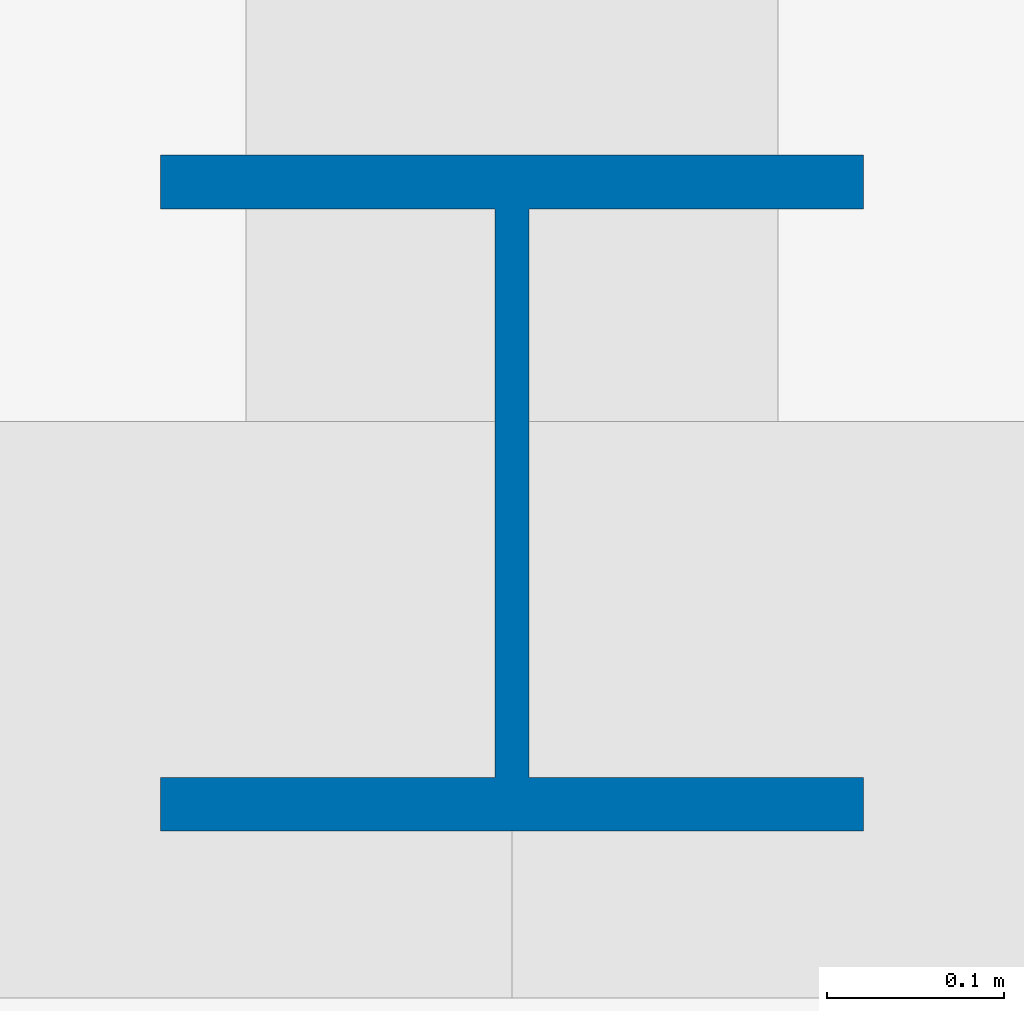
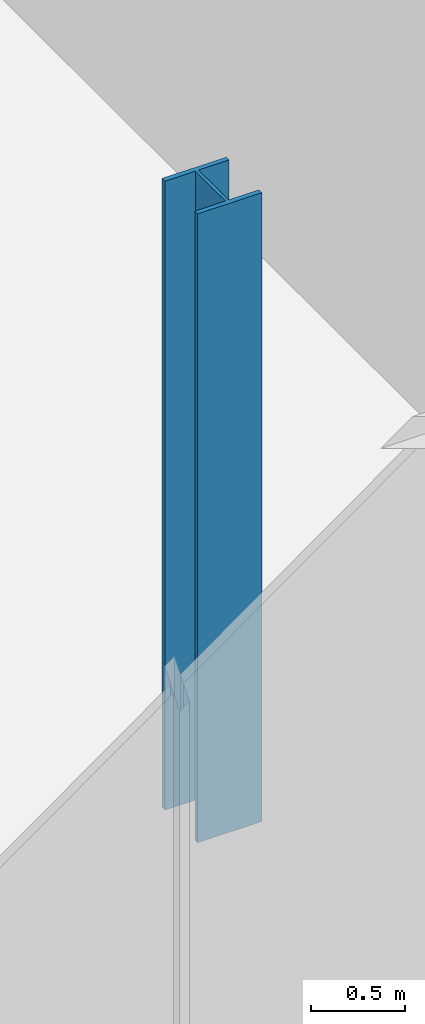
# One storey, part 2 of 22: 1 column.
"""IFC4 building model written with IfcOpenShell, lengths in metres."""

from ifc_helpers import new_model, si_unit, direction, frame, origin, origin_2d, place, context, subcontext, project, spatial, i_section, extrude, material, material_profile, profile_set, type_object, element, save


model = new_model("IFC4")

# Units and contexts
model_context = context("Model", 3, precision=1e-05, world=origin(), true_north=direction((0.0, 1.0)))
body_context = subcontext(model_context, "Body", "Model", "MODEL_VIEW")
ifc_project = project(units=[si_unit("LENGTHUNIT", "METRE"), si_unit("AREAUNIT", "SQUARE_METRE"), si_unit("VOLUMEUNIT", "CUBIC_METRE"), si_unit("PLANEANGLEUNIT", "RADIAN"), si_unit("MASSUNIT", "GRAM", prefix="KILO")], contexts=[model_context])

# Site, building, storey
site_placement = place(None, origin())
site = spatial("IfcSite", under=ifc_project, at=site_placement, CompositionType="ELEMENT")
building_placement = place(site_placement, origin())
building = spatial("IfcBuilding", under=site, at=building_placement, Name="Bicima Exchange Tower", CompositionType="ELEMENT")
storey_placement = place(building_placement, frame((0.0, 0.0, 148.60009765625)))
storey = spatial("IfcBuildingStorey", under=building, at=storey_placement, Name="L32", CompositionType="ELEMENT", Elevation=148.60009765625)

# Column
ifc_material = material(Name="Steel ASTM A992 Gr 50", Category="steel")
ifc_material_profile = material_profile(ifc_material, i_section(OverallWidth=0.396240234375, OverallDepth=0.381103515625, WebThickness=0.01904296875, FlangeThickness=0.0302734375, at=origin_2d()))
ifc_profile_set = profile_set([ifc_material_profile], Name="Steel ASTM A992 Gr 50")
column_type = type_object("IfcColumnType", Name="Perimeter column W14x159", PredefinedType="COLUMN", material=ifc_profile_set)
column_placement = place(storey_placement, frame((26.10009765625, -33.134033203125, 0.0), z_axis=(0.0, 0.0, 1.0), x_axis=(1.0, 0.0, 0.0)))
element("IfcColumn", 1, at=column_placement, inside=storey, type_object=column_type, Name="Perimeter column grav+26.1f", PredefinedType="COLUMN", context=body_context, shape_type="SweptSolid", body=[
    extrude(i_section(OverallWidth=0.396240234375, OverallDepth=0.381103515625, WebThickness=0.01904296875, FlangeThickness=0.0302734375, at=origin_2d()), origin(), (0.0, 0.0, 1.0), 4.099853515625),
])

save(model, "model.ifc")
